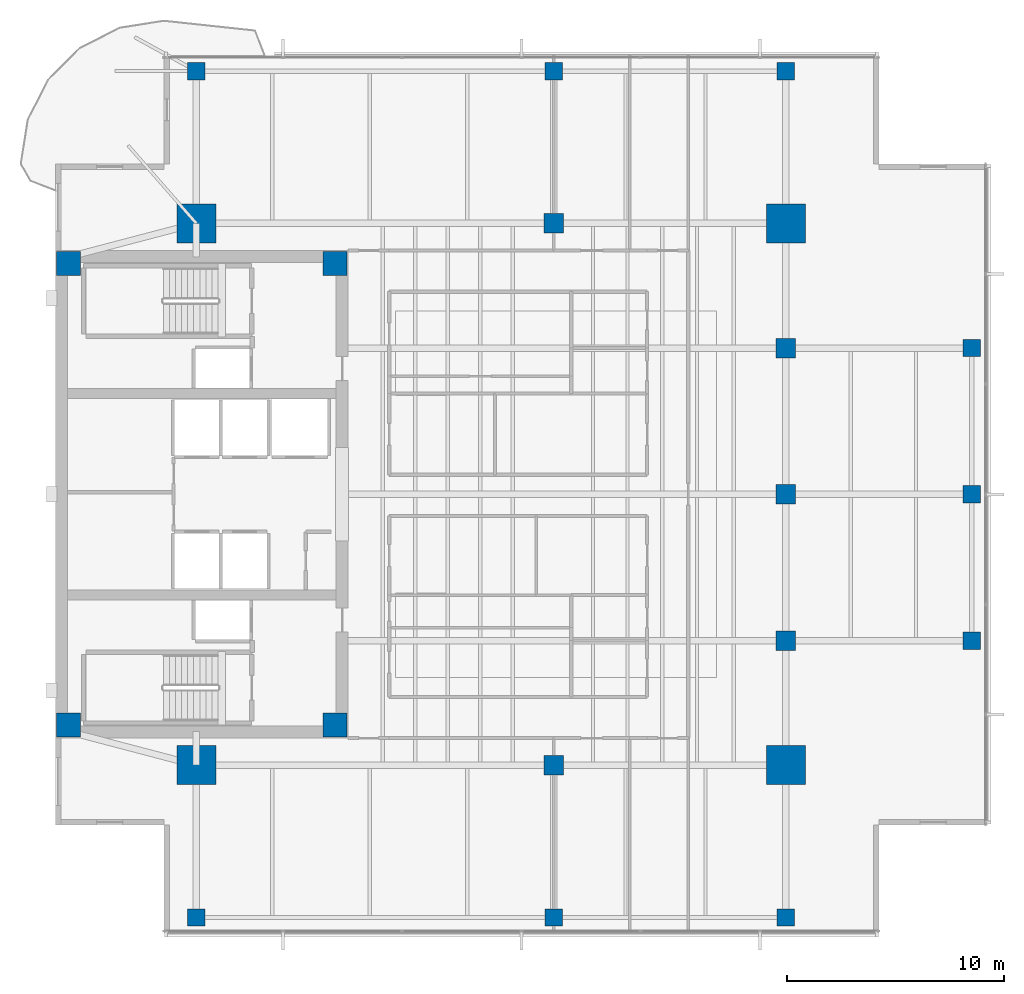
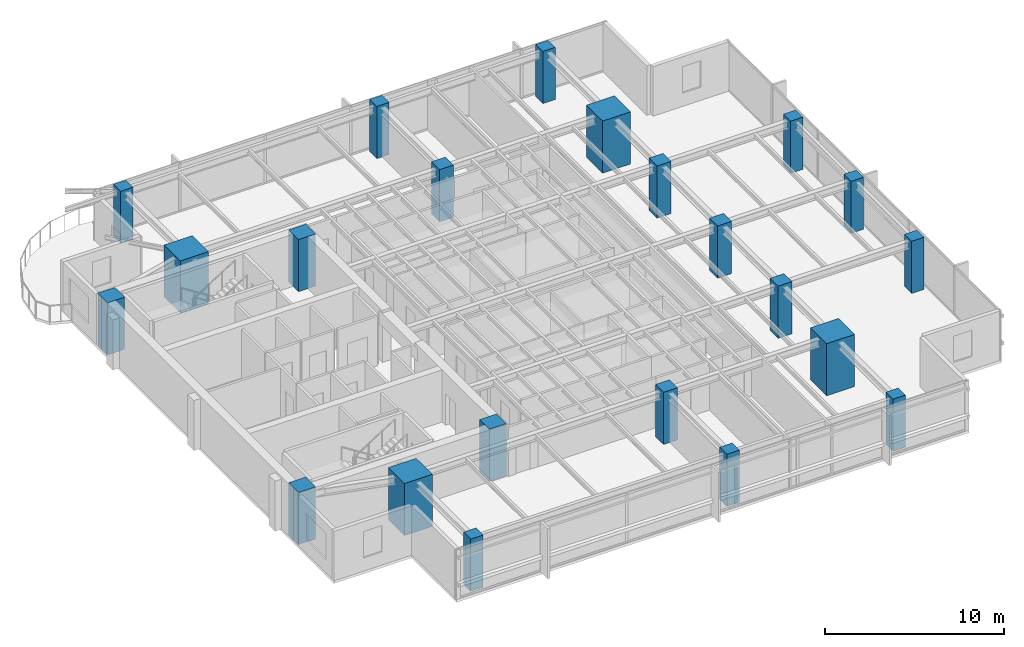
# One storey, part 1 of 14: 22 columns.
"""IFC4 building model written with IfcOpenShell, lengths in metres."""

from ifc_helpers import new_model, si_unit, direction, frame, origin, origin_2d, place, context, subcontext, project, spatial, rectangle, extrude, material, material_profile, profile_set, type_object, element, save


model = new_model("IFC4")

# Units and contexts
model_context = context("Model", 3, precision=1e-05, world=origin(), true_north=direction((0.0, 1.0)))
body_context = subcontext(model_context, "Body", "Model", "MODEL_VIEW")
ifc_project = project(units=[si_unit("LENGTHUNIT", "METRE"), si_unit("AREAUNIT", "SQUARE_METRE"), si_unit("VOLUMEUNIT", "CUBIC_METRE"), si_unit("PLANEANGLEUNIT", "RADIAN"), si_unit("MASSUNIT", "GRAM", prefix="KILO")], contexts=[model_context])

# Site, building, storey
site_placement = place(None, origin())
site = spatial("IfcSite", under=ifc_project, at=site_placement, CompositionType="ELEMENT")
building_placement = place(site_placement, origin())
building = spatial("IfcBuilding", under=site, at=building_placement, Name="Kinhvarn Gate Tower", CompositionType="ELEMENT")
storey_placement = place(building_placement, frame((0.0, 0.0, 212.89990234375)))
storey = spatial("IfcBuildingStorey", under=building, at=storey_placement, Name="L56", CompositionType="ELEMENT", Elevation=212.89990234375)

# Columns
ifc_material_1 = material(Name="Concrete C60/75", Category="concrete")
ifc_material_profile_1 = material_profile(ifc_material_1, rectangle(XDim=1.800048828125, YDim=1.800048828125, at=origin_2d()), Name="RC 1800x1800")
ifc_profile_set_1 = profile_set([ifc_material_profile_1], Name="Concrete C60/75")
column_type_1 = type_object("IfcColumnType", Name="COL-MC-1800", PredefinedType="COLUMN", material=ifc_profile_set_1)
for number, where, z_axis, x_axis, name in (
    (1, (11.0, 12.75, 0.0), (0.0, 0.0, 1.0), (1.0, 0.0, 0.0), "Column MC1-L56 (MC-18)"),
    (2, (11.0, 37.75, 0.0), (0.0, 0.0, 1.0), (1.0, 0.0, 0.0), "Column MC4-L56 (MC-18)"),
    (3, (38.199951171875, 12.75, 0.0), (0.0, 0.0, 1.0), (1.0, 0.0, 0.0), "Column MC2-L56 (MC-18)"),
    (4, (38.199951171875, 37.75, 0.0), (0.0, 0.0, 1.0), (1.0, 0.0, 0.0), "Column MC3-L56 (MC-18)"),
):
    element("IfcColumn", number, at=place(storey_placement, frame(where, z_axis=z_axis, x_axis=x_axis)), inside=storey, type_object=column_type_1, Name=name, PredefinedType="COLUMN", context=body_context, shape_type="SweptSolid", body=[
        extrude(rectangle(XDim=1.800048828125, YDim=1.800048828125, at=origin_2d()), origin(), (0.0, 0.0, 1.0), 3.550048828125),
    ])
ifc_material_2 = material(Name="Concrete C50/60", Category="concrete")
ifc_material_profile_2 = material_profile(ifc_material_2, rectangle(XDim=0.800048828125, YDim=0.800048828125, at=origin_2d()), Name="RC 800x800")
ifc_profile_set_2 = profile_set([ifc_material_profile_2], Name="Concrete C50/60")
column_type_2 = type_object("IfcColumnType", Name="COL-RC-800", PredefinedType="COLUMN", material=ifc_profile_set_2)
for number, where, z_axis, x_axis, name in (
    (5, (46.780029296875, 18.5, 0.0), (0.0, 0.0, 1.0), (1.0, 0.0, 0.0), "Column CE-1-L56 (C-080)"),
    (6, (46.780029296875, 25.25, 0.0), (0.0, 0.0, 1.0), (1.0, 0.0, 0.0), "Column CE-2-L56 (C-080)"),
    (7, (46.780029296875, 32.0, 0.0), (0.0, 0.0, 1.0), (1.0, 0.0, 0.0), "Column CE-3-L56 (C-080)"),
    (8, (11.0, 5.719970703125, 0.0), (0.0, 0.0, 1.0), (1.0, 0.0, 0.0), "Column CS-0-L56 (C-080)"),
    (9, (27.5, 5.719970703125, 0.0), (0.0, 0.0, 1.0), (1.0, 0.0, 0.0), "Column CS-1-L56 (C-080)"),
    (10, (38.199951171875, 5.719970703125, 0.0), (0.0, 0.0, 1.0), (1.0, 0.0, 0.0), "Column CS-2-L56 (C-080)"),
    (11, (11.0, 44.780029296875, 0.0), (0.0, 0.0, 1.0), (1.0, 0.0, 0.0), "Column CN-0-L56 (C-080)"),
    (12, (27.5, 44.780029296875, 0.0), (0.0, 0.0, 1.0), (1.0, 0.0, 0.0), "Column CN-1-L56 (C-080)"),
    (13, (38.199951171875, 44.780029296875, 0.0), (0.0, 0.0, 1.0), (1.0, 0.0, 0.0), "Column CN-2-L56 (C-080)"),
):
    element("IfcColumn", number, at=place(storey_placement, frame(where, z_axis=z_axis, x_axis=x_axis)), inside=storey, type_object=column_type_2, Name=name, PredefinedType="COLUMN", context=body_context, shape_type="SweptSolid", body=[
        extrude(rectangle(XDim=0.800048828125, YDim=0.800048828125, at=origin_2d()), origin(), (0.0, 0.0, 1.0), 3.550048828125),
    ])
ifc_material_profile_3 = material_profile(ifc_material_1, rectangle(XDim=0.89990234375, YDim=0.89990234375, at=origin_2d()), Name="RC 900x900")
ifc_profile_set_3 = profile_set([ifc_material_profile_3], Name="Concrete C60/75")
column_type_3 = type_object("IfcColumnType", Name="COL-RC-900", PredefinedType="COLUMN", material=ifc_profile_set_3)
for number, where, z_axis, x_axis, name in (
    (14, (27.5, 12.75, 0.0), (0.0, 0.0, 1.0), (1.0, 0.0, 0.0), "Column SP27-S-L56 (C-090)"),
    (15, (27.5, 37.75, 0.0), (0.0, 0.0, 1.0), (1.0, 0.0, 0.0), "Column SP27-N-L56 (C-090)"),
    (16, (38.199951171875, 18.5, 0.0), (0.0, 0.0, 1.0), (1.0, 0.0, 0.0), "Column SP38-E1-L56 (C-090)"),
    (17, (38.199951171875, 25.25, 0.0), (0.0, 0.0, 1.0), (1.0, 0.0, 0.0), "Column SP38-E2-L56 (C-090)"),
    (18, (38.199951171875, 32.0, 0.0), (0.0, 0.0, 1.0), (1.0, 0.0, 0.0), "Column SP38-E3-L56 (C-090)"),
):
    element("IfcColumn", number, at=place(storey_placement, frame(where, z_axis=z_axis, x_axis=x_axis)), inside=storey, type_object=column_type_3, Name=name, PredefinedType="COLUMN", context=body_context, shape_type="SweptSolid", body=[
        extrude(rectangle(XDim=0.89990234375, YDim=0.89990234375, at=origin_2d()), origin(), (0.0, 0.0, 1.0), 3.550048828125),
    ])
ifc_material_profile_4 = material_profile(ifc_material_1, rectangle(XDim=1.10009765625, YDim=1.10009765625, at=origin_2d()), Name="RC 1100x1100")
ifc_profile_set_4 = profile_set([ifc_material_profile_4], Name="Concrete C60/75")
column_type_4 = type_object("IfcColumnType", Name="PIL-RC-1100", PredefinedType="PILASTER", material=ifc_profile_set_4)
for number, where, z_axis, x_axis, name in (
    (19, (5.10009765625, 14.60009765625, 0.0), (0.0, 0.0, 1.0), (1.0, 0.0, 0.0), "Column CC-SW-L56 (CP-110)"),
    (20, (5.10009765625, 35.89990234375, 0.0), (0.0, 0.0, 1.0), (1.0, 0.0, 0.0), "Column CC-NW-L56 (CP-110)"),
    (21, (17.39990234375, 14.60009765625, 0.0), (0.0, 0.0, 1.0), (1.0, 0.0, 0.0), "Column CC-SE-L56 (CP-110)"),
    (22, (17.39990234375, 35.89990234375, 0.0), (0.0, 0.0, 1.0), (1.0, 0.0, 0.0), "Column CC-NE-L56 (CP-110)"),
):
    element("IfcColumn", number, at=place(storey_placement, frame(where, z_axis=z_axis, x_axis=x_axis)), inside=storey, type_object=column_type_4, Name=name, PredefinedType="PILASTER", context=body_context, shape_type="SweptSolid", body=[
        extrude(rectangle(XDim=1.10009765625, YDim=1.10009765625, at=origin_2d()), origin(), (0.0, 0.0, 1.0), 3.550048828125),
    ])

save(model, "model.ifc")
